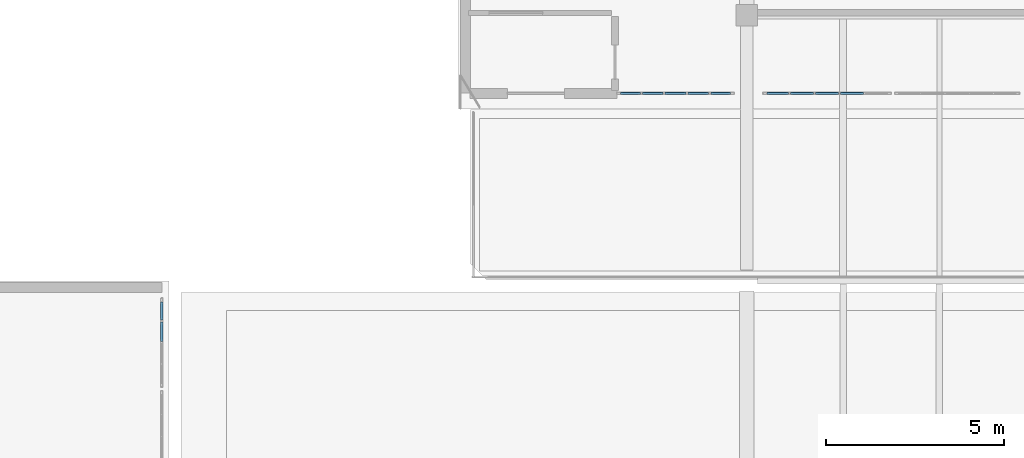
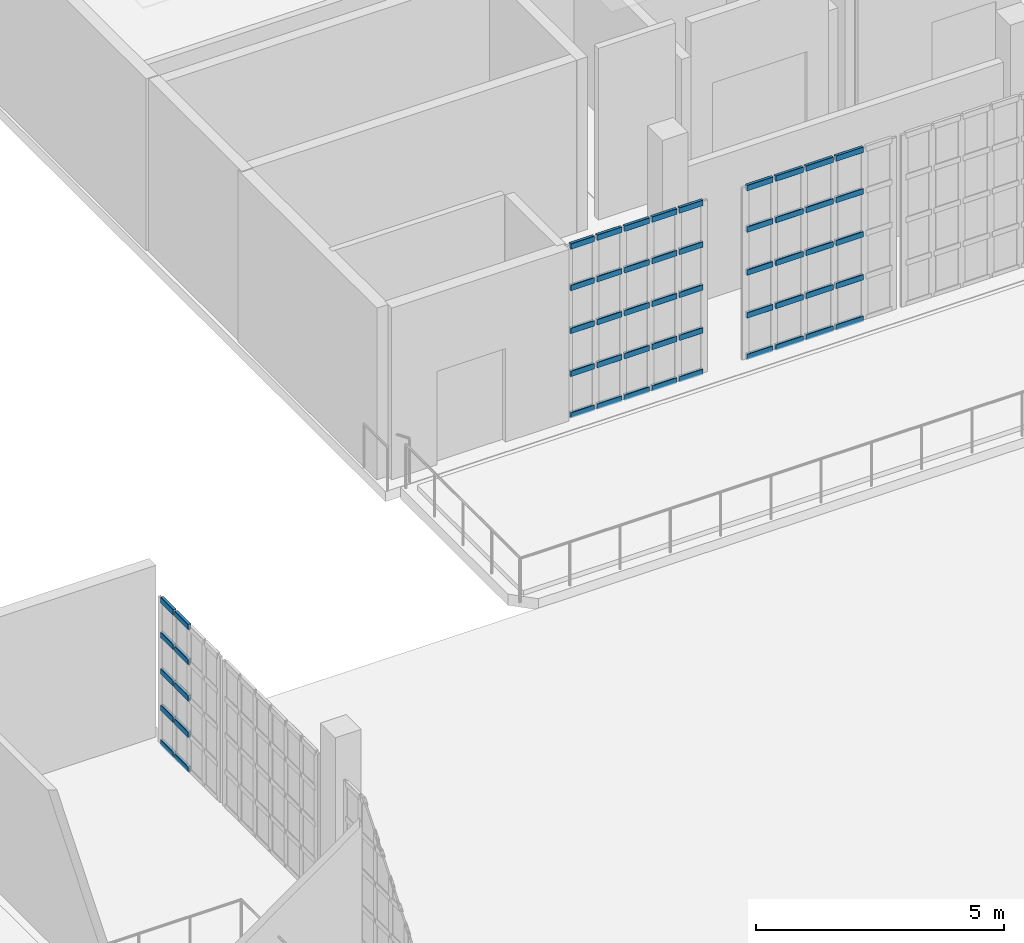
# One storey, part 30 of 56: 55 members, 3 elements without a shape of their own.
"""IFC4 building model written with IfcOpenShell, lengths in metres."""

from ifc_helpers import new_model, si_unit, direction, frame, origin, origin_2d, place, context, subcontext, project, spatial, hollow_rectangle, extrude, material, material_profile, profile_set, type_object, element, aggregate, save


model = new_model("IFC4")

# Units and contexts
model_context = context("Model", 3, precision=1e-05, world=origin(), true_north=direction((0.0, 1.0)))
body_context = subcontext(model_context, "Body", "Model", "MODEL_VIEW")
ifc_project = project(units=[si_unit("LENGTHUNIT", "METRE"), si_unit("AREAUNIT", "SQUARE_METRE"), si_unit("VOLUMEUNIT", "CUBIC_METRE"), si_unit("PLANEANGLEUNIT", "RADIAN"), si_unit("MASSUNIT", "GRAM", prefix="KILO")], contexts=[model_context])

# Site, building, storey
site_placement = place(None, origin())
site = spatial("IfcSite", under=ifc_project, at=site_placement, CompositionType="ELEMENT")
building_placement = place(site_placement, origin())
building = spatial("IfcBuilding", under=site, at=building_placement, Name="Kaelora Sail Theatre", CompositionType="ELEMENT")
storey_placement = place(building_placement, frame((0.0, 0.0, 14.699951171875)))
storey = spatial("IfcBuildingStorey", under=building, at=storey_placement, Name="L03", CompositionType="ELEMENT", Elevation=14.699951171875)

# Curtain wall, members
ifc_material_1 = material(Name="Anodised aluminium and solar-control low-E IGU", Category="aluminium")
curtain_wall_type_1 = type_object("IfcCurtainWallType", Name="ARC-CW-CW-NWG", PredefinedType="NOTDEFINED", material=ifc_material_1)
curtain_wall_1_placement = place(storey_placement, origin())
curtain_wall_1 = element("IfcCurtainWall", 1, at=curtain_wall_1_placement, inside=storey, type_object=curtain_wall_type_1, Name="Glazed Foyer/Conservatory Curtain Wall NW4-S-L03-01", PredefinedType="NOTDEFINED")
ifc_material_2 = material(Name="Anodised aluminium 6063-T6", Category="aluminium")
ifc_material_profile = material_profile(ifc_material_2, hollow_rectangle(XDim=0.070068359375, YDim=0.139892578125, WallThickness=0.00390625, InnerFilletRadius=0.00390625, OuterFilletRadius=0.008056640625, at=origin_2d()), Name="ALU-TRAN 70x140x4")
ifc_profile_set = profile_set([ifc_material_profile], Name="Anodised aluminium 6063-T6")
member_type = type_object("IfcMemberType", Name="ARC-MEM-TR-140", PredefinedType="USERDEFINED", material=ifc_profile_set)
member_1_placement = place(storey_placement, frame((103.260009765625, 88.590087890625, 0.03515625), z_axis=(1.0, 0.0, 0.0), x_axis=(0.0, 1.0, 0.0)))
member_1 = element("IfcMember", 2, at=member_1_placement, type_object=member_type, Name="CW-NWG transom 1.1", ObjectType="TRANSOM", PredefinedType="USERDEFINED", context=body_context, shape_type="SweptSolid", body=[
    extrude(hollow_rectangle(XDim=0.070068359375, YDim=0.139892578125, WallThickness=0.00390625, InnerFilletRadius=0.00390625, OuterFilletRadius=0.008056640625, at=origin_2d()), origin(), (0.0, 0.0, 1.0), 0.550048828125),
])
member_2_placement = place(storey_placement, frame((103.260009765625, 88.590087890625, 1.05615234375), z_axis=(1.0, 0.0, 0.0), x_axis=(0.0, 1.0, 0.0)))
member_2 = element("IfcMember", 3, at=member_2_placement, type_object=member_type, Name="CW-NWG transom 1.2", ObjectType="TRANSOM", PredefinedType="USERDEFINED", context=body_context, shape_type="SweptSolid", body=[
    extrude(hollow_rectangle(XDim=0.070068359375, YDim=0.139892578125, WallThickness=0.00390625, InnerFilletRadius=0.00390625, OuterFilletRadius=0.008056640625, at=origin_2d()), origin(), (0.0, 0.0, 1.0), 0.550048828125),
])
member_3_placement = place(storey_placement, frame((103.260009765625, 88.590087890625, 2.112548828125), z_axis=(1.0, 0.0, 0.0), x_axis=(0.0, 1.0, 0.0)))
member_3 = element("IfcMember", 4, at=member_3_placement, type_object=member_type, Name="CW-NWG transom 1.3", ObjectType="TRANSOM", PredefinedType="USERDEFINED", context=body_context, shape_type="SweptSolid", body=[
    extrude(hollow_rectangle(XDim=0.070068359375, YDim=0.139892578125, WallThickness=0.00390625, InnerFilletRadius=0.00390625, OuterFilletRadius=0.008056640625, at=origin_2d()), origin(), (0.0, 0.0, 1.0), 0.550048828125),
])
member_4_placement = place(storey_placement, frame((103.260009765625, 88.590087890625, 3.168701171875), z_axis=(1.0, 0.0, 0.0), x_axis=(0.0, 1.0, 0.0)))
member_4 = element("IfcMember", 5, at=member_4_placement, type_object=member_type, Name="CW-NWG transom 1.4", ObjectType="TRANSOM", PredefinedType="USERDEFINED", context=body_context, shape_type="SweptSolid", body=[
    extrude(hollow_rectangle(XDim=0.070068359375, YDim=0.139892578125, WallThickness=0.00390625, InnerFilletRadius=0.00390625, OuterFilletRadius=0.008056640625, at=origin_2d()), origin(), (0.0, 0.0, 1.0), 0.550048828125),
])
member_5_placement = place(storey_placement, frame((103.260009765625, 88.590087890625, 4.18994140625), z_axis=(1.0, 0.0, 0.0), x_axis=(0.0, 1.0, 0.0)))
member_5 = element("IfcMember", 6, at=member_5_placement, type_object=member_type, Name="CW-NWG transom 1.5", ObjectType="TRANSOM", PredefinedType="USERDEFINED", context=body_context, shape_type="SweptSolid", body=[
    extrude(hollow_rectangle(XDim=0.070068359375, YDim=0.139892578125, WallThickness=0.00390625, InnerFilletRadius=0.00390625, OuterFilletRadius=0.008056640625, at=origin_2d()), origin(), (0.0, 0.0, 1.0), 0.550048828125),
])
member_6_placement = place(storey_placement, frame((103.8701171875, 88.590087890625, 0.03515625), z_axis=(1.0, 0.0, 0.0), x_axis=(0.0, 1.0, 0.0)))
member_6 = element("IfcMember", 7, at=member_6_placement, type_object=member_type, Name="CW-NWG transom 2.1", ObjectType="TRANSOM", PredefinedType="USERDEFINED", context=body_context, shape_type="SweptSolid", body=[
    extrude(hollow_rectangle(XDim=0.070068359375, YDim=0.139892578125, WallThickness=0.00390625, InnerFilletRadius=0.00390625, OuterFilletRadius=0.008056640625, at=origin_2d()), origin(), (0.0, 0.0, 1.0), 0.579833984375),
])
member_7_placement = place(storey_placement, frame((103.8701171875, 88.590087890625, 1.05615234375), z_axis=(1.0, 0.0, 0.0), x_axis=(0.0, 1.0, 0.0)))
member_7 = element("IfcMember", 8, at=member_7_placement, type_object=member_type, Name="CW-NWG transom 2.2", ObjectType="TRANSOM", PredefinedType="USERDEFINED", context=body_context, shape_type="SweptSolid", body=[
    extrude(hollow_rectangle(XDim=0.070068359375, YDim=0.139892578125, WallThickness=0.00390625, InnerFilletRadius=0.00390625, OuterFilletRadius=0.008056640625, at=origin_2d()), origin(), (0.0, 0.0, 1.0), 0.579833984375),
])
member_8_placement = place(storey_placement, frame((103.8701171875, 88.590087890625, 2.112548828125), z_axis=(1.0, 0.0, 0.0), x_axis=(0.0, 1.0, 0.0)))
member_8 = element("IfcMember", 9, at=member_8_placement, type_object=member_type, Name="CW-NWG transom 2.3", ObjectType="TRANSOM", PredefinedType="USERDEFINED", context=body_context, shape_type="SweptSolid", body=[
    extrude(hollow_rectangle(XDim=0.070068359375, YDim=0.139892578125, WallThickness=0.00390625, InnerFilletRadius=0.00390625, OuterFilletRadius=0.008056640625, at=origin_2d()), origin(), (0.0, 0.0, 1.0), 0.579833984375),
])
member_9_placement = place(storey_placement, frame((103.8701171875, 88.590087890625, 3.168701171875), z_axis=(1.0, 0.0, 0.0), x_axis=(0.0, 1.0, 0.0)))
member_9 = element("IfcMember", 10, at=member_9_placement, type_object=member_type, Name="CW-NWG transom 2.4", ObjectType="TRANSOM", PredefinedType="USERDEFINED", context=body_context, shape_type="SweptSolid", body=[
    extrude(hollow_rectangle(XDim=0.070068359375, YDim=0.139892578125, WallThickness=0.00390625, InnerFilletRadius=0.00390625, OuterFilletRadius=0.008056640625, at=origin_2d()), origin(), (0.0, 0.0, 1.0), 0.579833984375),
])
member_10_placement = place(storey_placement, frame((103.8701171875, 88.590087890625, 4.18994140625), z_axis=(1.0, 0.0, 0.0), x_axis=(0.0, 1.0, 0.0)))
member_10 = element("IfcMember", 11, at=member_10_placement, type_object=member_type, Name="CW-NWG transom 2.5", ObjectType="TRANSOM", PredefinedType="USERDEFINED", context=body_context, shape_type="SweptSolid", body=[
    extrude(hollow_rectangle(XDim=0.070068359375, YDim=0.139892578125, WallThickness=0.00390625, InnerFilletRadius=0.00390625, OuterFilletRadius=0.008056640625, at=origin_2d()), origin(), (0.0, 0.0, 1.0), 0.579833984375),
])
member_11_placement = place(storey_placement, frame((104.510009765625, 88.590087890625, 0.03515625), z_axis=(1.0, 0.0, 0.0), x_axis=(0.0, 1.0, 0.0)))
member_11 = element("IfcMember", 12, at=member_11_placement, type_object=member_type, Name="CW-NWG transom 3.1", ObjectType="TRANSOM", PredefinedType="USERDEFINED", context=body_context, shape_type="SweptSolid", body=[
    extrude(hollow_rectangle(XDim=0.070068359375, YDim=0.139892578125, WallThickness=0.00390625, InnerFilletRadius=0.00390625, OuterFilletRadius=0.008056640625, at=origin_2d()), origin(), (0.0, 0.0, 1.0), 0.580078125),
])
member_12_placement = place(storey_placement, frame((104.510009765625, 88.590087890625, 1.05615234375), z_axis=(1.0, 0.0, 0.0), x_axis=(0.0, 1.0, 0.0)))
member_12 = element("IfcMember", 13, at=member_12_placement, type_object=member_type, Name="CW-NWG transom 3.2", ObjectType="TRANSOM", PredefinedType="USERDEFINED", context=body_context, shape_type="SweptSolid", body=[
    extrude(hollow_rectangle(XDim=0.070068359375, YDim=0.139892578125, WallThickness=0.00390625, InnerFilletRadius=0.00390625, OuterFilletRadius=0.008056640625, at=origin_2d()), origin(), (0.0, 0.0, 1.0), 0.580078125),
])
member_13_placement = place(storey_placement, frame((104.510009765625, 88.590087890625, 2.112548828125), z_axis=(1.0, 0.0, 0.0), x_axis=(0.0, 1.0, 0.0)))
member_13 = element("IfcMember", 14, at=member_13_placement, type_object=member_type, Name="CW-NWG transom 3.3", ObjectType="TRANSOM", PredefinedType="USERDEFINED", context=body_context, shape_type="SweptSolid", body=[
    extrude(hollow_rectangle(XDim=0.070068359375, YDim=0.139892578125, WallThickness=0.00390625, InnerFilletRadius=0.00390625, OuterFilletRadius=0.008056640625, at=origin_2d()), origin(), (0.0, 0.0, 1.0), 0.580078125),
])
member_14_placement = place(storey_placement, frame((104.510009765625, 88.590087890625, 3.168701171875), z_axis=(1.0, 0.0, 0.0), x_axis=(0.0, 1.0, 0.0)))
member_14 = element("IfcMember", 15, at=member_14_placement, type_object=member_type, Name="CW-NWG transom 3.4", ObjectType="TRANSOM", PredefinedType="USERDEFINED", context=body_context, shape_type="SweptSolid", body=[
    extrude(hollow_rectangle(XDim=0.070068359375, YDim=0.139892578125, WallThickness=0.00390625, InnerFilletRadius=0.00390625, OuterFilletRadius=0.008056640625, at=origin_2d()), origin(), (0.0, 0.0, 1.0), 0.580078125),
])
member_15_placement = place(storey_placement, frame((104.510009765625, 88.590087890625, 4.18994140625), z_axis=(1.0, 0.0, 0.0), x_axis=(0.0, 1.0, 0.0)))
member_15 = element("IfcMember", 16, at=member_15_placement, type_object=member_type, Name="CW-NWG transom 3.5", ObjectType="TRANSOM", PredefinedType="USERDEFINED", context=body_context, shape_type="SweptSolid", body=[
    extrude(hollow_rectangle(XDim=0.070068359375, YDim=0.139892578125, WallThickness=0.00390625, InnerFilletRadius=0.00390625, OuterFilletRadius=0.008056640625, at=origin_2d()), origin(), (0.0, 0.0, 1.0), 0.580078125),
])
member_16_placement = place(storey_placement, frame((105.14990234375, 88.590087890625, 0.03515625), z_axis=(1.0, 0.0, 0.0), x_axis=(0.0, 1.0, 0.0)))
member_16 = element("IfcMember", 17, at=member_16_placement, type_object=member_type, Name="CW-NWG transom 4.1", ObjectType="TRANSOM", PredefinedType="USERDEFINED", context=body_context, shape_type="SweptSolid", body=[
    extrude(hollow_rectangle(XDim=0.070068359375, YDim=0.139892578125, WallThickness=0.00390625, InnerFilletRadius=0.00390625, OuterFilletRadius=0.008056640625, at=origin_2d()), origin(), (0.0, 0.0, 1.0), 0.580078125),
])
member_17_placement = place(storey_placement, frame((105.14990234375, 88.590087890625, 1.05615234375), z_axis=(1.0, 0.0, 0.0), x_axis=(0.0, 1.0, 0.0)))
member_17 = element("IfcMember", 18, at=member_17_placement, type_object=member_type, Name="CW-NWG transom 4.2", ObjectType="TRANSOM", PredefinedType="USERDEFINED", context=body_context, shape_type="SweptSolid", body=[
    extrude(hollow_rectangle(XDim=0.070068359375, YDim=0.139892578125, WallThickness=0.00390625, InnerFilletRadius=0.00390625, OuterFilletRadius=0.008056640625, at=origin_2d()), origin(), (0.0, 0.0, 1.0), 0.580078125),
])
member_18_placement = place(storey_placement, frame((105.14990234375, 88.590087890625, 2.112548828125), z_axis=(1.0, 0.0, 0.0), x_axis=(0.0, 1.0, 0.0)))
member_18 = element("IfcMember", 19, at=member_18_placement, type_object=member_type, Name="CW-NWG transom 4.3", ObjectType="TRANSOM", PredefinedType="USERDEFINED", context=body_context, shape_type="SweptSolid", body=[
    extrude(hollow_rectangle(XDim=0.070068359375, YDim=0.139892578125, WallThickness=0.00390625, InnerFilletRadius=0.00390625, OuterFilletRadius=0.008056640625, at=origin_2d()), origin(), (0.0, 0.0, 1.0), 0.580078125),
])
member_19_placement = place(storey_placement, frame((105.14990234375, 88.590087890625, 3.168701171875), z_axis=(1.0, 0.0, 0.0), x_axis=(0.0, 1.0, 0.0)))
member_19 = element("IfcMember", 20, at=member_19_placement, type_object=member_type, Name="CW-NWG transom 4.4", ObjectType="TRANSOM", PredefinedType="USERDEFINED", context=body_context, shape_type="SweptSolid", body=[
    extrude(hollow_rectangle(XDim=0.070068359375, YDim=0.139892578125, WallThickness=0.00390625, InnerFilletRadius=0.00390625, OuterFilletRadius=0.008056640625, at=origin_2d()), origin(), (0.0, 0.0, 1.0), 0.580078125),
])
member_20_placement = place(storey_placement, frame((105.14990234375, 88.590087890625, 4.18994140625), z_axis=(1.0, 0.0, 0.0), x_axis=(0.0, 1.0, 0.0)))
member_20 = element("IfcMember", 21, at=member_20_placement, type_object=member_type, Name="CW-NWG transom 4.5", ObjectType="TRANSOM", PredefinedType="USERDEFINED", context=body_context, shape_type="SweptSolid", body=[
    extrude(hollow_rectangle(XDim=0.070068359375, YDim=0.139892578125, WallThickness=0.00390625, InnerFilletRadius=0.00390625, OuterFilletRadius=0.008056640625, at=origin_2d()), origin(), (0.0, 0.0, 1.0), 0.580078125),
])
member_21_placement = place(storey_placement, frame((105.7900390625, 88.590087890625, 0.03515625), z_axis=(1.0, 0.0, 0.0), x_axis=(0.0, 1.0, 0.0)))
member_21 = element("IfcMember", 22, at=member_21_placement, type_object=member_type, Name="CW-NWG transom 5.1", ObjectType="TRANSOM", PredefinedType="USERDEFINED", context=body_context, shape_type="SweptSolid", body=[
    extrude(hollow_rectangle(XDim=0.070068359375, YDim=0.139892578125, WallThickness=0.00390625, InnerFilletRadius=0.00390625, OuterFilletRadius=0.008056640625, at=origin_2d()), origin(), (0.0, 0.0, 1.0), 0.550048828125),
])
member_22_placement = place(storey_placement, frame((105.7900390625, 88.590087890625, 1.05615234375), z_axis=(1.0, 0.0, 0.0), x_axis=(0.0, 1.0, 0.0)))
member_22 = element("IfcMember", 23, at=member_22_placement, type_object=member_type, Name="CW-NWG transom 5.2", ObjectType="TRANSOM", PredefinedType="USERDEFINED", context=body_context, shape_type="SweptSolid", body=[
    extrude(hollow_rectangle(XDim=0.070068359375, YDim=0.139892578125, WallThickness=0.00390625, InnerFilletRadius=0.00390625, OuterFilletRadius=0.008056640625, at=origin_2d()), origin(), (0.0, 0.0, 1.0), 0.550048828125),
])
member_23_placement = place(storey_placement, frame((105.7900390625, 88.590087890625, 2.112548828125), z_axis=(1.0, 0.0, 0.0), x_axis=(0.0, 1.0, 0.0)))
member_23 = element("IfcMember", 24, at=member_23_placement, type_object=member_type, Name="CW-NWG transom 5.3", ObjectType="TRANSOM", PredefinedType="USERDEFINED", context=body_context, shape_type="SweptSolid", body=[
    extrude(hollow_rectangle(XDim=0.070068359375, YDim=0.139892578125, WallThickness=0.00390625, InnerFilletRadius=0.00390625, OuterFilletRadius=0.008056640625, at=origin_2d()), origin(), (0.0, 0.0, 1.0), 0.550048828125),
])
member_24_placement = place(storey_placement, frame((105.7900390625, 88.590087890625, 3.168701171875), z_axis=(1.0, 0.0, 0.0), x_axis=(0.0, 1.0, 0.0)))
member_24 = element("IfcMember", 25, at=member_24_placement, type_object=member_type, Name="CW-NWG transom 5.4", ObjectType="TRANSOM", PredefinedType="USERDEFINED", context=body_context, shape_type="SweptSolid", body=[
    extrude(hollow_rectangle(XDim=0.070068359375, YDim=0.139892578125, WallThickness=0.00390625, InnerFilletRadius=0.00390625, OuterFilletRadius=0.008056640625, at=origin_2d()), origin(), (0.0, 0.0, 1.0), 0.550048828125),
])
member_25_placement = place(storey_placement, frame((105.7900390625, 88.590087890625, 4.18994140625), z_axis=(1.0, 0.0, 0.0), x_axis=(0.0, 1.0, 0.0)))
member_25 = element("IfcMember", 26, at=member_25_placement, type_object=member_type, Name="CW-NWG transom 5.5", ObjectType="TRANSOM", PredefinedType="USERDEFINED", context=body_context, shape_type="SweptSolid", body=[
    extrude(hollow_rectangle(XDim=0.070068359375, YDim=0.139892578125, WallThickness=0.00390625, InnerFilletRadius=0.00390625, OuterFilletRadius=0.008056640625, at=origin_2d()), origin(), (0.0, 0.0, 1.0), 0.550048828125),
])
aggregate(curtain_wall_1, [member_1, member_2, member_3, member_4, member_5, member_6, member_7, member_8, member_9, member_10, member_11, member_12, member_13, member_14, member_15, member_16, member_17, member_18, member_19, member_20, member_21, member_22, member_23, member_24, member_25])

curtain_wall_2_placement = place(storey_placement, origin())
curtain_wall_2 = element("IfcCurtainWall", 27, at=curtain_wall_2_placement, inside=storey, type_object=curtain_wall_type_1, Name="Glazed Foyer/Conservatory Curtain Wall NW4-S-L03-02", PredefinedType="NOTDEFINED")
member_26_placement = place(storey_placement, frame((107.360107421875, 88.590087890625, 0.03515625), z_axis=(1.0, 0.0, 0.0), x_axis=(0.0, 1.0, 0.0)))
member_26 = element("IfcMember", 28, at=member_26_placement, type_object=member_type, Name="CW-NWG transom 1.1", ObjectType="TRANSOM", PredefinedType="USERDEFINED", context=body_context, shape_type="SweptSolid", body=[
    extrude(hollow_rectangle(XDim=0.070068359375, YDim=0.139892578125, WallThickness=0.00390625, InnerFilletRadius=0.00390625, OuterFilletRadius=0.008056640625, at=origin_2d()), origin(), (0.0, 0.0, 1.0), 0.60986328125),
])
member_27_placement = place(storey_placement, frame((107.360107421875, 88.590087890625, 1.05615234375), z_axis=(1.0, 0.0, 0.0), x_axis=(0.0, 1.0, 0.0)))
member_27 = element("IfcMember", 29, at=member_27_placement, type_object=member_type, Name="CW-NWG transom 1.2", ObjectType="TRANSOM", PredefinedType="USERDEFINED", context=body_context, shape_type="SweptSolid", body=[
    extrude(hollow_rectangle(XDim=0.070068359375, YDim=0.139892578125, WallThickness=0.00390625, InnerFilletRadius=0.00390625, OuterFilletRadius=0.008056640625, at=origin_2d()), origin(), (0.0, 0.0, 1.0), 0.60986328125),
])
member_28_placement = place(storey_placement, frame((107.360107421875, 88.590087890625, 2.112548828125), z_axis=(1.0, 0.0, 0.0), x_axis=(0.0, 1.0, 0.0)))
member_28 = element("IfcMember", 30, at=member_28_placement, type_object=member_type, Name="CW-NWG transom 1.3", ObjectType="TRANSOM", PredefinedType="USERDEFINED", context=body_context, shape_type="SweptSolid", body=[
    extrude(hollow_rectangle(XDim=0.070068359375, YDim=0.139892578125, WallThickness=0.00390625, InnerFilletRadius=0.00390625, OuterFilletRadius=0.008056640625, at=origin_2d()), origin(), (0.0, 0.0, 1.0), 0.60986328125),
])
member_29_placement = place(storey_placement, frame((107.360107421875, 88.590087890625, 3.168701171875), z_axis=(1.0, 0.0, 0.0), x_axis=(0.0, 1.0, 0.0)))
member_29 = element("IfcMember", 31, at=member_29_placement, type_object=member_type, Name="CW-NWG transom 1.4", ObjectType="TRANSOM", PredefinedType="USERDEFINED", context=body_context, shape_type="SweptSolid", body=[
    extrude(hollow_rectangle(XDim=0.070068359375, YDim=0.139892578125, WallThickness=0.00390625, InnerFilletRadius=0.00390625, OuterFilletRadius=0.008056640625, at=origin_2d()), origin(), (0.0, 0.0, 1.0), 0.60986328125),
])
member_30_placement = place(storey_placement, frame((107.360107421875, 88.590087890625, 4.18994140625), z_axis=(1.0, 0.0, 0.0), x_axis=(0.0, 1.0, 0.0)))
member_30 = element("IfcMember", 32, at=member_30_placement, type_object=member_type, Name="CW-NWG transom 1.5", ObjectType="TRANSOM", PredefinedType="USERDEFINED", context=body_context, shape_type="SweptSolid", body=[
    extrude(hollow_rectangle(XDim=0.070068359375, YDim=0.139892578125, WallThickness=0.00390625, InnerFilletRadius=0.00390625, OuterFilletRadius=0.008056640625, at=origin_2d()), origin(), (0.0, 0.0, 1.0), 0.60986328125),
])
member_31_placement = place(storey_placement, frame((108.030029296875, 88.590087890625, 0.03515625), z_axis=(1.0, 0.0, 0.0), x_axis=(0.0, 1.0, 0.0)))
member_31 = element("IfcMember", 33, at=member_31_placement, type_object=member_type, Name="CW-NWG transom 2.1", ObjectType="TRANSOM", PredefinedType="USERDEFINED", context=body_context, shape_type="SweptSolid", body=[
    extrude(hollow_rectangle(XDim=0.070068359375, YDim=0.139892578125, WallThickness=0.00390625, InnerFilletRadius=0.00390625, OuterFilletRadius=0.008056640625, at=origin_2d()), origin(), (0.0, 0.0, 1.0), 0.639892578125),
])
member_32_placement = place(storey_placement, frame((108.030029296875, 88.590087890625, 1.05615234375), z_axis=(1.0, 0.0, 0.0), x_axis=(0.0, 1.0, 0.0)))
member_32 = element("IfcMember", 34, at=member_32_placement, type_object=member_type, Name="CW-NWG transom 2.2", ObjectType="TRANSOM", PredefinedType="USERDEFINED", context=body_context, shape_type="SweptSolid", body=[
    extrude(hollow_rectangle(XDim=0.070068359375, YDim=0.139892578125, WallThickness=0.00390625, InnerFilletRadius=0.00390625, OuterFilletRadius=0.008056640625, at=origin_2d()), origin(), (0.0, 0.0, 1.0), 0.639892578125),
])
member_33_placement = place(storey_placement, frame((108.030029296875, 88.590087890625, 2.112548828125), z_axis=(1.0, 0.0, 0.0), x_axis=(0.0, 1.0, 0.0)))
member_33 = element("IfcMember", 35, at=member_33_placement, type_object=member_type, Name="CW-NWG transom 2.3", ObjectType="TRANSOM", PredefinedType="USERDEFINED", context=body_context, shape_type="SweptSolid", body=[
    extrude(hollow_rectangle(XDim=0.070068359375, YDim=0.139892578125, WallThickness=0.00390625, InnerFilletRadius=0.00390625, OuterFilletRadius=0.008056640625, at=origin_2d()), origin(), (0.0, 0.0, 1.0), 0.639892578125),
])
member_34_placement = place(storey_placement, frame((108.030029296875, 88.590087890625, 3.168701171875), z_axis=(1.0, 0.0, 0.0), x_axis=(0.0, 1.0, 0.0)))
member_34 = element("IfcMember", 36, at=member_34_placement, type_object=member_type, Name="CW-NWG transom 2.4", ObjectType="TRANSOM", PredefinedType="USERDEFINED", context=body_context, shape_type="SweptSolid", body=[
    extrude(hollow_rectangle(XDim=0.070068359375, YDim=0.139892578125, WallThickness=0.00390625, InnerFilletRadius=0.00390625, OuterFilletRadius=0.008056640625, at=origin_2d()), origin(), (0.0, 0.0, 1.0), 0.639892578125),
])
member_35_placement = place(storey_placement, frame((108.030029296875, 88.590087890625, 4.18994140625), z_axis=(1.0, 0.0, 0.0), x_axis=(0.0, 1.0, 0.0)))
member_35 = element("IfcMember", 37, at=member_35_placement, type_object=member_type, Name="CW-NWG transom 2.5", ObjectType="TRANSOM", PredefinedType="USERDEFINED", context=body_context, shape_type="SweptSolid", body=[
    extrude(hollow_rectangle(XDim=0.070068359375, YDim=0.139892578125, WallThickness=0.00390625, InnerFilletRadius=0.00390625, OuterFilletRadius=0.008056640625, at=origin_2d()), origin(), (0.0, 0.0, 1.0), 0.639892578125),
])
member_36_placement = place(storey_placement, frame((108.72998046875, 88.590087890625, 0.03515625), z_axis=(1.0, 0.0, 0.0), x_axis=(0.0, 1.0, 0.0)))
member_36 = element("IfcMember", 38, at=member_36_placement, type_object=member_type, Name="CW-NWG transom 3.1", ObjectType="TRANSOM", PredefinedType="USERDEFINED", context=body_context, shape_type="SweptSolid", body=[
    extrude(hollow_rectangle(XDim=0.070068359375, YDim=0.139892578125, WallThickness=0.00390625, InnerFilletRadius=0.00390625, OuterFilletRadius=0.008056640625, at=origin_2d()), origin(), (0.0, 0.0, 1.0), 0.64013671875),
])
member_37_placement = place(storey_placement, frame((108.72998046875, 88.590087890625, 1.05615234375), z_axis=(1.0, 0.0, 0.0), x_axis=(0.0, 1.0, 0.0)))
member_37 = element("IfcMember", 39, at=member_37_placement, type_object=member_type, Name="CW-NWG transom 3.2", ObjectType="TRANSOM", PredefinedType="USERDEFINED", context=body_context, shape_type="SweptSolid", body=[
    extrude(hollow_rectangle(XDim=0.070068359375, YDim=0.139892578125, WallThickness=0.00390625, InnerFilletRadius=0.00390625, OuterFilletRadius=0.008056640625, at=origin_2d()), origin(), (0.0, 0.0, 1.0), 0.64013671875),
])
member_38_placement = place(storey_placement, frame((108.72998046875, 88.590087890625, 2.112548828125), z_axis=(1.0, 0.0, 0.0), x_axis=(0.0, 1.0, 0.0)))
member_38 = element("IfcMember", 40, at=member_38_placement, type_object=member_type, Name="CW-NWG transom 3.3", ObjectType="TRANSOM", PredefinedType="USERDEFINED", context=body_context, shape_type="SweptSolid", body=[
    extrude(hollow_rectangle(XDim=0.070068359375, YDim=0.139892578125, WallThickness=0.00390625, InnerFilletRadius=0.00390625, OuterFilletRadius=0.008056640625, at=origin_2d()), origin(), (0.0, 0.0, 1.0), 0.64013671875),
])
member_39_placement = place(storey_placement, frame((108.72998046875, 88.590087890625, 3.168701171875), z_axis=(1.0, 0.0, 0.0), x_axis=(0.0, 1.0, 0.0)))
member_39 = element("IfcMember", 41, at=member_39_placement, type_object=member_type, Name="CW-NWG transom 3.4", ObjectType="TRANSOM", PredefinedType="USERDEFINED", context=body_context, shape_type="SweptSolid", body=[
    extrude(hollow_rectangle(XDim=0.070068359375, YDim=0.139892578125, WallThickness=0.00390625, InnerFilletRadius=0.00390625, OuterFilletRadius=0.008056640625, at=origin_2d()), origin(), (0.0, 0.0, 1.0), 0.64013671875),
])
member_40_placement = place(storey_placement, frame((108.72998046875, 88.590087890625, 4.18994140625), z_axis=(1.0, 0.0, 0.0), x_axis=(0.0, 1.0, 0.0)))
member_40 = element("IfcMember", 42, at=member_40_placement, type_object=member_type, Name="CW-NWG transom 3.5", ObjectType="TRANSOM", PredefinedType="USERDEFINED", context=body_context, shape_type="SweptSolid", body=[
    extrude(hollow_rectangle(XDim=0.070068359375, YDim=0.139892578125, WallThickness=0.00390625, InnerFilletRadius=0.00390625, OuterFilletRadius=0.008056640625, at=origin_2d()), origin(), (0.0, 0.0, 1.0), 0.64013671875),
])
member_41_placement = place(storey_placement, frame((109.429931640625, 88.590087890625, 0.03515625), z_axis=(1.0, 0.0, 0.0), x_axis=(0.0, 1.0, 0.0)))
member_41 = element("IfcMember", 43, at=member_41_placement, type_object=member_type, Name="CW-NWG transom 4.1", ObjectType="TRANSOM", PredefinedType="USERDEFINED", context=body_context, shape_type="SweptSolid", body=[
    extrude(hollow_rectangle(XDim=0.070068359375, YDim=0.139892578125, WallThickness=0.00390625, InnerFilletRadius=0.00390625, OuterFilletRadius=0.008056640625, at=origin_2d()), origin(), (0.0, 0.0, 1.0), 0.64013671875),
])
member_42_placement = place(storey_placement, frame((109.429931640625, 88.590087890625, 1.05615234375), z_axis=(1.0, 0.0, 0.0), x_axis=(0.0, 1.0, 0.0)))
member_42 = element("IfcMember", 44, at=member_42_placement, type_object=member_type, Name="CW-NWG transom 4.2", ObjectType="TRANSOM", PredefinedType="USERDEFINED", context=body_context, shape_type="SweptSolid", body=[
    extrude(hollow_rectangle(XDim=0.070068359375, YDim=0.139892578125, WallThickness=0.00390625, InnerFilletRadius=0.00390625, OuterFilletRadius=0.008056640625, at=origin_2d()), origin(), (0.0, 0.0, 1.0), 0.64013671875),
])
member_43_placement = place(storey_placement, frame((109.429931640625, 88.590087890625, 2.112548828125), z_axis=(1.0, 0.0, 0.0), x_axis=(0.0, 1.0, 0.0)))
member_43 = element("IfcMember", 45, at=member_43_placement, type_object=member_type, Name="CW-NWG transom 4.3", ObjectType="TRANSOM", PredefinedType="USERDEFINED", context=body_context, shape_type="SweptSolid", body=[
    extrude(hollow_rectangle(XDim=0.070068359375, YDim=0.139892578125, WallThickness=0.00390625, InnerFilletRadius=0.00390625, OuterFilletRadius=0.008056640625, at=origin_2d()), origin(), (0.0, 0.0, 1.0), 0.64013671875),
])
member_44_placement = place(storey_placement, frame((109.429931640625, 88.590087890625, 3.168701171875), z_axis=(1.0, 0.0, 0.0), x_axis=(0.0, 1.0, 0.0)))
member_44 = element("IfcMember", 46, at=member_44_placement, type_object=member_type, Name="CW-NWG transom 4.4", ObjectType="TRANSOM", PredefinedType="USERDEFINED", context=body_context, shape_type="SweptSolid", body=[
    extrude(hollow_rectangle(XDim=0.070068359375, YDim=0.139892578125, WallThickness=0.00390625, InnerFilletRadius=0.00390625, OuterFilletRadius=0.008056640625, at=origin_2d()), origin(), (0.0, 0.0, 1.0), 0.64013671875),
])
member_45_placement = place(storey_placement, frame((109.429931640625, 88.590087890625, 4.18994140625), z_axis=(1.0, 0.0, 0.0), x_axis=(0.0, 1.0, 0.0)))
member_45 = element("IfcMember", 47, at=member_45_placement, type_object=member_type, Name="CW-NWG transom 4.5", ObjectType="TRANSOM", PredefinedType="USERDEFINED", context=body_context, shape_type="SweptSolid", body=[
    extrude(hollow_rectangle(XDim=0.070068359375, YDim=0.139892578125, WallThickness=0.00390625, InnerFilletRadius=0.00390625, OuterFilletRadius=0.008056640625, at=origin_2d()), origin(), (0.0, 0.0, 1.0), 0.64013671875),
])
aggregate(curtain_wall_2, [member_26, member_27, member_28, member_29, member_30, member_31, member_32, member_33, member_34, member_35, member_36, member_37, member_38, member_39, member_40, member_41, member_42, member_43, member_44, member_45])

ifc_material_3 = material(Name="Anodised aluminium and solar-control low-E IGU", Category="aluminium")
curtain_wall_type_2 = type_object("IfcCurtainWallType", Name="ARC-CW-CW-BRG", PredefinedType="NOTDEFINED", material=ifc_material_3)
curtain_wall_3_placement = place(storey_placement, origin())
curtain_wall_3 = element("IfcCurtainWall", 48, at=curtain_wall_3_placement, inside=storey, type_object=curtain_wall_type_2, Name="Glazed Colonnade/Courtyard Curtain Wall FC1-STEP-E-L03-04", PredefinedType="NOTDEFINED")
member_46_placement = place(storey_placement, frame((90.389892578125, 81.6298828125, 0.03515625), z_axis=(0.0, 1.0, 0.0), x_axis=(-1.0, 0.0, 0.0)))
member_46 = element("IfcMember", 49, at=member_46_placement, type_object=member_type, Name="CW-BRG transom 3.1", ObjectType="TRANSOM", PredefinedType="USERDEFINED", context=body_context, shape_type="SweptSolid", body=[
    extrude(hollow_rectangle(XDim=0.070068359375, YDim=0.139892578125, WallThickness=0.00390625, InnerFilletRadius=0.00390625, OuterFilletRadius=0.008056640625, at=origin_2d()), origin(), (0.0, 0.0, 1.0), 0.5400390625),
])
member_47_placement = place(storey_placement, frame((90.389892578125, 81.6298828125, 0.894287109375), z_axis=(0.0, 1.0, 0.0), x_axis=(-1.0, 0.0, 0.0)))
member_47 = element("IfcMember", 50, at=member_47_placement, type_object=member_type, Name="CW-BRG transom 3.2", ObjectType="TRANSOM", PredefinedType="USERDEFINED", context=body_context, shape_type="SweptSolid", body=[
    extrude(hollow_rectangle(XDim=0.070068359375, YDim=0.139892578125, WallThickness=0.00390625, InnerFilletRadius=0.00390625, OuterFilletRadius=0.008056640625, at=origin_2d()), origin(), (0.0, 0.0, 1.0), 0.5400390625),
])
member_48_placement = place(storey_placement, frame((90.389892578125, 81.6298828125, 1.78857421875), z_axis=(0.0, 1.0, 0.0), x_axis=(-1.0, 0.0, 0.0)))
member_48 = element("IfcMember", 51, at=member_48_placement, type_object=member_type, Name="CW-BRG transom 3.3", ObjectType="TRANSOM", PredefinedType="USERDEFINED", context=body_context, shape_type="SweptSolid", body=[
    extrude(hollow_rectangle(XDim=0.070068359375, YDim=0.139892578125, WallThickness=0.00390625, InnerFilletRadius=0.00390625, OuterFilletRadius=0.008056640625, at=origin_2d()), origin(), (0.0, 0.0, 1.0), 0.5400390625),
])
member_49_placement = place(storey_placement, frame((90.389892578125, 81.6298828125, 2.682861328125), z_axis=(0.0, 1.0, 0.0), x_axis=(-1.0, 0.0, 0.0)))
member_49 = element("IfcMember", 52, at=member_49_placement, type_object=member_type, Name="CW-BRG transom 3.4", ObjectType="TRANSOM", PredefinedType="USERDEFINED", context=body_context, shape_type="SweptSolid", body=[
    extrude(hollow_rectangle(XDim=0.070068359375, YDim=0.139892578125, WallThickness=0.00390625, InnerFilletRadius=0.00390625, OuterFilletRadius=0.008056640625, at=origin_2d()), origin(), (0.0, 0.0, 1.0), 0.5400390625),
])
member_50_placement = place(storey_placement, frame((90.389892578125, 81.6298828125, 3.5419921875), z_axis=(0.0, 1.0, 0.0), x_axis=(-1.0, 0.0, 0.0)))
member_50 = element("IfcMember", 53, at=member_50_placement, type_object=member_type, Name="CW-BRG transom 3.5", ObjectType="TRANSOM", PredefinedType="USERDEFINED", context=body_context, shape_type="SweptSolid", body=[
    extrude(hollow_rectangle(XDim=0.070068359375, YDim=0.139892578125, WallThickness=0.00390625, InnerFilletRadius=0.00390625, OuterFilletRadius=0.008056640625, at=origin_2d()), origin(), (0.0, 0.0, 1.0), 0.5400390625),
])
member_51_placement = place(storey_placement, frame((90.389892578125, 82.22998046875, 0.03515625), z_axis=(0.0, 1.0, 0.0), x_axis=(-1.0, 0.0, 0.0)))
member_51 = element("IfcMember", 54, at=member_51_placement, type_object=member_type, Name="CW-BRG transom 4.1", ObjectType="TRANSOM", PredefinedType="USERDEFINED", context=body_context, shape_type="SweptSolid", body=[
    extrude(hollow_rectangle(XDim=0.070068359375, YDim=0.139892578125, WallThickness=0.00390625, InnerFilletRadius=0.00390625, OuterFilletRadius=0.008056640625, at=origin_2d()), origin(), (0.0, 0.0, 1.0), 0.510009765625),
])
member_52_placement = place(storey_placement, frame((90.389892578125, 82.22998046875, 0.894287109375), z_axis=(0.0, 1.0, 0.0), x_axis=(-1.0, 0.0, 0.0)))
member_52 = element("IfcMember", 55, at=member_52_placement, type_object=member_type, Name="CW-BRG transom 4.2", ObjectType="TRANSOM", PredefinedType="USERDEFINED", context=body_context, shape_type="SweptSolid", body=[
    extrude(hollow_rectangle(XDim=0.070068359375, YDim=0.139892578125, WallThickness=0.00390625, InnerFilletRadius=0.00390625, OuterFilletRadius=0.008056640625, at=origin_2d()), origin(), (0.0, 0.0, 1.0), 0.510009765625),
])
member_53_placement = place(storey_placement, frame((90.389892578125, 82.22998046875, 1.78857421875), z_axis=(0.0, 1.0, 0.0), x_axis=(-1.0, 0.0, 0.0)))
member_53 = element("IfcMember", 56, at=member_53_placement, type_object=member_type, Name="CW-BRG transom 4.3", ObjectType="TRANSOM", PredefinedType="USERDEFINED", context=body_context, shape_type="SweptSolid", body=[
    extrude(hollow_rectangle(XDim=0.070068359375, YDim=0.139892578125, WallThickness=0.00390625, InnerFilletRadius=0.00390625, OuterFilletRadius=0.008056640625, at=origin_2d()), origin(), (0.0, 0.0, 1.0), 0.510009765625),
])
member_54_placement = place(storey_placement, frame((90.389892578125, 82.22998046875, 2.682861328125), z_axis=(0.0, 1.0, 0.0), x_axis=(-1.0, 0.0, 0.0)))
member_54 = element("IfcMember", 57, at=member_54_placement, type_object=member_type, Name="CW-BRG transom 4.4", ObjectType="TRANSOM", PredefinedType="USERDEFINED", context=body_context, shape_type="SweptSolid", body=[
    extrude(hollow_rectangle(XDim=0.070068359375, YDim=0.139892578125, WallThickness=0.00390625, InnerFilletRadius=0.00390625, OuterFilletRadius=0.008056640625, at=origin_2d()), origin(), (0.0, 0.0, 1.0), 0.510009765625),
])
member_55_placement = place(storey_placement, frame((90.389892578125, 82.22998046875, 3.5419921875), z_axis=(0.0, 1.0, 0.0), x_axis=(-1.0, 0.0, 0.0)))
member_55 = element("IfcMember", 58, at=member_55_placement, type_object=member_type, Name="CW-BRG transom 4.5", ObjectType="TRANSOM", PredefinedType="USERDEFINED", context=body_context, shape_type="SweptSolid", body=[
    extrude(hollow_rectangle(XDim=0.070068359375, YDim=0.139892578125, WallThickness=0.00390625, InnerFilletRadius=0.00390625, OuterFilletRadius=0.008056640625, at=origin_2d()), origin(), (0.0, 0.0, 1.0), 0.510009765625),
])
aggregate(curtain_wall_3, [member_46, member_47, member_48, member_49, member_50, member_51, member_52, member_53, member_54, member_55])

save(model, "model.ifc")
